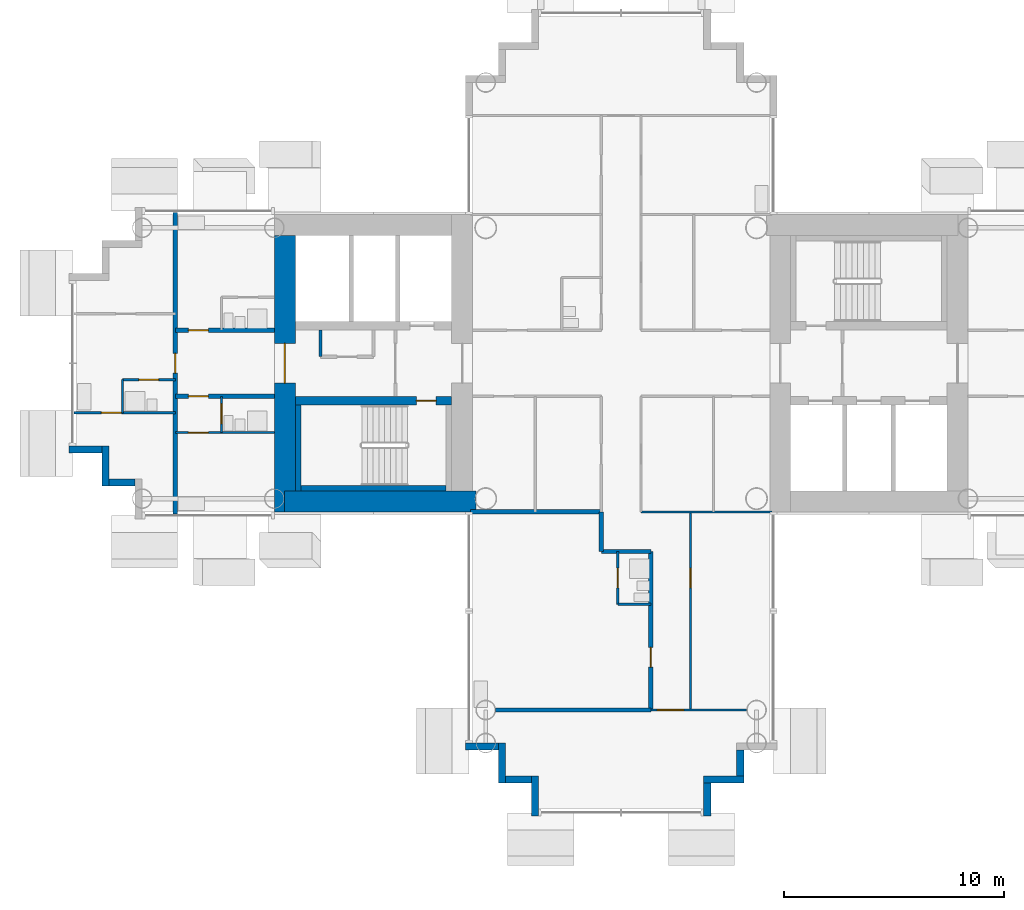
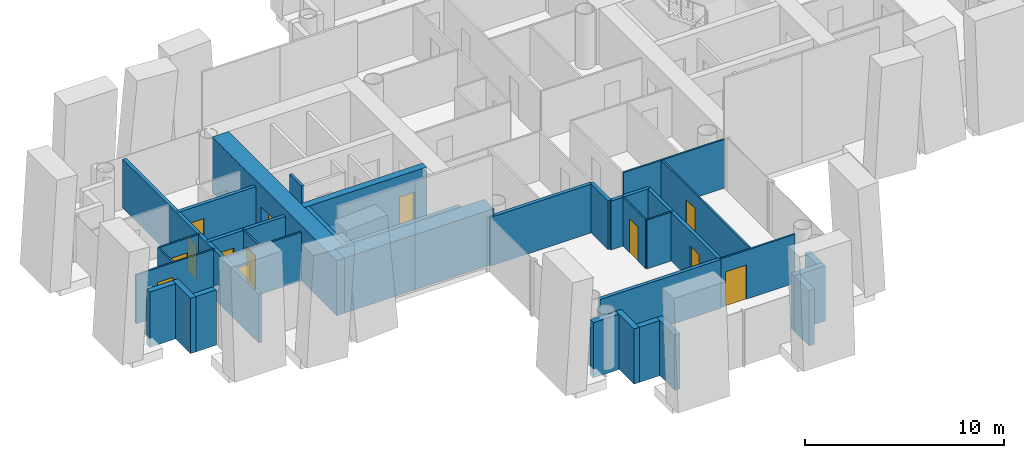
# One storey, part 8 of 21: 34 walls, 13 doors, 13 openings.
"""IFC4 building model written with IfcOpenShell, lengths in metres."""

from ifc_helpers import new_model, si_unit, direction, frame, frame_2d, origin, place, context, subcontext, project, spatial, rectangle, extrude, material, layer, layer_set, type_object, element, fill, save


model = new_model("IFC4")

# Units and contexts
model_context = context("Model", 3, precision=1e-05, world=origin(), true_north=direction((0.0, 1.0)))
body_context = subcontext(model_context, "Body", "Model", "MODEL_VIEW")
ifc_project = project(units=[si_unit("LENGTHUNIT", "METRE"), si_unit("AREAUNIT", "SQUARE_METRE"), si_unit("VOLUMEUNIT", "CUBIC_METRE"), si_unit("PLANEANGLEUNIT", "RADIAN"), si_unit("MASSUNIT", "GRAM", prefix="KILO")], contexts=[model_context])

# Site, building, storey
site_placement = place(None, origin())
site = spatial("IfcSite", under=ifc_project, at=site_placement, CompositionType="ELEMENT")
building_placement = place(site_placement, origin())
building = spatial("IfcBuilding", under=site, at=building_placement, Name="Ipe Terrace Towers", CompositionType="ELEMENT")
storey_placement = place(building_placement, frame((0.0, 0.0, 80.0)))
storey = spatial("IfcBuildingStorey", under=building, at=storey_placement, Name="L21", CompositionType="ELEMENT", Elevation=80.0)

# Walls
ifc_material_1 = material(Name="Concrete C40/50 with buff precast cladding", Category="concrete")
ifc_layer_1 = layer(ifc_material_1, 0.320068359375)
ifc_layer_set_1 = layer_set([ifc_layer_1], Name="BUFF CLADDING WALL 320")
wall_type_1 = type_object("IfcWallType", Name="BUFF CLADDING WALL 320", PredefinedType="STANDARD", material=ifc_layer_set_1)
wall_1_placement = place(storey_placement, frame((-61.070068359375, -3.909912109375, -0.300048828125), z_axis=(0.0, 0.0, 1.0), x_axis=(1.0, 0.0, 0.0)))
element("IfcWall", 1, at=wall_1_placement, inside=storey, type_object=wall_type_1, Name="T1-W-L21-00a wall", PredefinedType="STANDARD", context=body_context, shape_type="SweptSolid", body=[
    extrude(rectangle(XDim=1.5, YDim=0.320068359375, at=frame_2d((0.75, 0.0))), origin(), (0.0, 0.0, 1.0), 3.400146484375),
])
wall_2_placement = place(storey_placement, frame((-59.409912109375, -3.75, -0.300048828125), z_axis=(0.0, 0.0, 1.0), x_axis=(0.0, -1.0, 0.0)))
element("IfcWall", 2, at=wall_2_placement, inside=storey, type_object=wall_type_1, Name="T1-W-L21-01a wall", PredefinedType="STANDARD", context=body_context, shape_type="SweptSolid", body=[
    extrude(rectangle(XDim=1.820068359375, YDim=0.320068359375, at=frame_2d((0.91015625, 0.0))), origin(), (0.0, 0.0, 1.0), 3.400146484375),
])
wall_3_placement = place(storey_placement, frame((-59.25, -5.409912109375, -0.300048828125), z_axis=(0.0, 0.0, 1.0), x_axis=(1.0, 0.0, 0.0)))
element("IfcWall", 3, at=wall_3_placement, inside=storey, type_object=wall_type_1, Name="T1-W-L21-02a wall", PredefinedType="STANDARD", context=body_context, shape_type="SweptSolid", body=[
    extrude(rectangle(XDim=1.179931640625, YDim=0.320068359375, at=frame_2d((0.58984375, 0.0))), origin(), (0.0, 0.0, 1.0), 3.400146484375),
])
wall_4_placement = place(storey_placement, frame((-43.070068359375, -17.409912109375, -0.300048828125), z_axis=(0.0, 0.0, 1.0), x_axis=(1.0, 0.0, 0.0)))
element("IfcWall", 4, at=wall_4_placement, inside=storey, type_object=wall_type_1, Name="T1-W-L21-08a wall", PredefinedType="STANDARD", context=body_context, shape_type="SweptSolid", body=[
    extrude(rectangle(XDim=1.5, YDim=0.320068359375, at=frame_2d((0.75, 0.0))), origin(), (0.0, 0.0, 1.0), 3.400146484375),
])
wall_5_placement = place(storey_placement, frame((-41.409912109375, -17.25, -0.300048828125), z_axis=(0.0, 0.0, 1.0), x_axis=(0.0, -1.0, 0.0)))
element("IfcWall", 5, at=wall_5_placement, inside=storey, type_object=wall_type_1, Name="T1-W-L21-09a wall", PredefinedType="STANDARD", context=body_context, shape_type="SweptSolid", body=[
    extrude(rectangle(XDim=1.820068359375, YDim=0.320068359375, at=frame_2d((0.91015625, 0.0))), origin(), (0.0, 0.0, 1.0), 3.400146484375),
])
wall_6_placement = place(storey_placement, frame((-41.25, -18.909912109375, -0.300048828125), z_axis=(0.0, 0.0, 1.0), x_axis=(1.0, 0.0, 0.0)))
element("IfcWall", 6, at=wall_6_placement, inside=storey, type_object=wall_type_1, Name="T1-W-L21-10a wall", PredefinedType="STANDARD", context=body_context, shape_type="SweptSolid", body=[
    extrude(rectangle(XDim=1.179931640625, YDim=0.320068359375, at=frame_2d((0.58984375, 0.0))), origin(), (0.0, 0.0, 1.0), 3.400146484375),
])
wall_7_placement = place(storey_placement, frame((-39.909912109375, -18.75, -0.300048828125), z_axis=(0.0, 0.0, 1.0), x_axis=(0.0, -1.0, 0.0)))
element("IfcWall", 7, at=wall_7_placement, inside=storey, type_object=wall_type_1, Name="T1-W-L21-11a wall", PredefinedType="STANDARD", context=body_context, shape_type="SweptSolid", body=[
    extrude(rectangle(XDim=1.820068359375, YDim=0.320068359375, at=frame_2d((0.91015625, 0.0))), origin(), (0.0, 0.0, 1.0), 3.400146484375),
])
wall_8_placement = place(storey_placement, frame((-32.090087890625, -20.570068359375, -0.300048828125), z_axis=(0.0, 0.0, 1.0), x_axis=(0.0, 1.0, 0.0)))
element("IfcWall", 8, at=wall_8_placement, inside=storey, type_object=wall_type_1, Name="T1-W-L21-13a wall", PredefinedType="STANDARD", context=body_context, shape_type="SweptSolid", body=[
    extrude(rectangle(XDim=1.5, YDim=0.320068359375, at=frame_2d((0.75, 0.0))), origin(), (0.0, 0.0, 1.0), 3.400146484375),
])
wall_9_placement = place(storey_placement, frame((-32.25, -18.909912109375, -0.300048828125), z_axis=(0.0, 0.0, 1.0), x_axis=(1.0, 0.0, 0.0)))
element("IfcWall", 9, at=wall_9_placement, inside=storey, type_object=wall_type_1, Name="T1-W-L21-14a wall", PredefinedType="STANDARD", context=body_context, shape_type="SweptSolid", body=[
    extrude(rectangle(XDim=1.820068359375, YDim=0.320068359375, at=frame_2d((0.91015625, 0.0))), origin(), (0.0, 0.0, 1.0), 3.400146484375),
])
wall_10_placement = place(storey_placement, frame((-30.590087890625, -18.75, -0.300048828125), z_axis=(0.0, 0.0, 1.0), x_axis=(0.0, 1.0, 0.0)))
element("IfcWall", 10, at=wall_10_placement, inside=storey, type_object=wall_type_1, Name="T1-W-L21-15a wall", PredefinedType="STANDARD", context=body_context, shape_type="SweptSolid", body=[
    extrude(rectangle(XDim=1.179931640625, YDim=0.320068359375, at=frame_2d((0.58984375, 0.0))), origin(), (0.0, 0.0, 1.0), 3.400146484375),
])
ifc_material_2 = material(Name="Gypsum board partition", Category="plasterboard")
ifc_layer_2 = layer(ifc_material_2, 0.10009765625)
ifc_layer_set_2 = layer_set([ifc_layer_2], Name="Gypsum board partition 100 mm")
wall_type_2 = type_object("IfcWallType", Name="Gypsum board partition 100 mm", PredefinedType="PARTITIONING", material=ifc_layer_set_2)
wall_11_placement = place(storey_placement, frame((-58.64990234375, -2.25, 0.0), z_axis=(0.0, 0.0, 1.0), x_axis=(0.0, 1.0, 0.0)))
element("IfcWall", 11, at=wall_11_placement, inside=storey, type_object=wall_type_2, Name="Gypsum board partition T1 L21 W01", PredefinedType="PARTITIONING", context=body_context, shape_type="SweptSolid", body=[
    extrude(rectangle(XDim=1.5, YDim=0.10009765625, at=frame_2d((0.75, 0.0))), origin(), (0.0, 0.0, 1.0), 3.0),
])

# Wall, opening, door
wall_12_placement = place(storey_placement, frame((-54.14990234375, -3.14990234375, 0.0), z_axis=(0.0, 0.0, 1.0), x_axis=(0.0, 1.0, 0.0)))
wall_12 = element("IfcWall", 12, at=wall_12_placement, inside=storey, type_object=wall_type_2, Name="Gypsum board partition T1 L21 W03", PredefinedType="PARTITIONING", context=body_context, shape_type="SweptSolid", body=[
    extrude(rectangle(XDim=1.64990234375, YDim=0.10009765625, at=frame_2d((0.824951171875, 0.0))), origin(), (0.0, 0.0, 1.0), 3.0),
])
opening_1_placement = place(wall_12_placement, frame((0.39990234375, 0.0, 0.0)))
opening_1 = element("IfcOpeningElement", 13, at=opening_1_placement, cuts=wall_12, Name="Opening T1-Z2B-21", PredefinedType="OPENING", context=body_context, shape_type="SweptSolid", body=[
    extrude(rectangle(XDim=0.89990234375, YDim=2.10009765625, at=frame_2d((0.449951171875, 1.050048828125))), frame((0.0, 0.06005859375, 0.0), z_axis=(0.0, -1.0, 0.0), x_axis=(1.0, 0.0, 0.0)), (0.0, 0.0, 1.0), 0.1201171875),
])
ifc_material_3 = material(Name="Timber door leaf", Category="wood")
door_type_1 = type_object("IfcDoorType", Name="Bathroom door 900 x 2100", OperationType="NOTDEFINED", PredefinedType="DOOR", material=ifc_material_3)
door_1_placement = place(opening_1_placement, origin())
door_1 = element("IfcDoor", 14, at=door_1_placement, inside=storey, type_object=door_type_1, Name="Bathroom door T1-Z2B-21", OperationType="SINGLE_SWING_RIGHT", OverallHeight=2.10009765625, OverallWidth=0.89990234375, PredefinedType="DOOR", context=body_context, shape_type="SweptSolid", body=[
    extrude(rectangle(XDim=0.89990234375, YDim=2.10009765625, at=frame_2d((0.449951171875, 1.050048828125))), frame((0.0, 0.02490234375, 0.0), z_axis=(0.0, -1.0, 0.0), x_axis=(1.0, 0.0, 0.0)), (0.0, 0.0, 1.0), 0.050048828125),
])
fill(opening_1, door_1)

wall_13_placement = place(storey_placement, frame((-36.14990234375, -10.949951171875, 0.0), z_axis=(0.0, 0.0, 1.0), x_axis=(0.0, 1.0, 0.0)))
wall_13 = element("IfcWall", 15, at=wall_13_placement, inside=storey, type_object=wall_type_2, Name="Gypsum board partition T1 L21 W10", PredefinedType="PARTITIONING", context=body_context, shape_type="SweptSolid", body=[
    extrude(rectangle(XDim=2.39990234375, YDim=0.10009765625, at=frame_2d((1.199951171875, 0.0))), origin(), (0.0, 0.0, 1.0), 3.0),
])
opening_2_placement = place(wall_13_placement, frame((0.75, 0.0, 0.0)))
opening_2 = element("IfcOpeningElement", 16, at=opening_2_placement, cuts=wall_13, Name="Opening T1-Z2B-14", PredefinedType="OPENING", context=body_context, shape_type="SweptSolid", body=[
    extrude(rectangle(XDim=0.89990234375, YDim=2.10009765625, at=frame_2d((0.449951171875, 1.050048828125))), frame((0.0, 0.06005859375, 0.0), z_axis=(0.0, -1.0, 0.0), x_axis=(1.0, 0.0, 0.0)), (0.0, 0.0, 1.0), 0.1201171875),
])
door_2_placement = place(opening_2_placement, origin())
door_2 = element("IfcDoor", 17, at=door_2_placement, inside=storey, type_object=door_type_1, Name="Bathroom door T1-Z2B-14", OperationType="SINGLE_SWING_RIGHT", OverallHeight=2.10009765625, OverallWidth=0.89990234375, PredefinedType="DOOR", context=body_context, shape_type="SweptSolid", body=[
    extrude(rectangle(XDim=0.89990234375, YDim=2.10009765625, at=frame_2d((0.449951171875, 1.050048828125))), frame((0.0, 0.02490234375, 0.0), z_axis=(0.0, -1.0, 0.0), x_axis=(1.0, 0.0, 0.0)), (0.0, 0.0, 1.0), 0.050048828125),
])
fill(opening_2, door_2)

wall_14_placement = place(storey_placement, frame((-32.85009765625, -15.75, 0.0), z_axis=(0.0, 0.0, 1.0), x_axis=(0.0, 1.0, 0.0)))
wall_14 = element("IfcWall", 18, at=wall_14_placement, inside=storey, type_object=wall_type_2, Name="Gypsum board partition T1 L21 W14", PredefinedType="PARTITIONING", context=body_context, shape_type="SweptSolid", body=[
    extrude(rectangle(XDim=9.0, YDim=0.10009765625, at=frame_2d((4.5, 0.0))), origin(), (0.0, 0.0, 1.0), 3.0),
])
opening_3_placement = place(wall_14_placement, frame((5.550048828125, 0.0, 0.0)))
opening_3 = element("IfcOpeningElement", 19, at=opening_3_placement, cuts=wall_14, Name="Opening T1-Z2B-12", PredefinedType="OPENING", context=body_context, shape_type="SweptSolid", body=[
    extrude(rectangle(XDim=0.89990234375, YDim=2.10009765625, at=frame_2d((0.449951171875, 1.050048828125))), frame((0.0, 0.06005859375, 0.0), z_axis=(0.0, -1.0, 0.0), x_axis=(1.0, 0.0, 0.0)), (0.0, 0.0, 1.0), 0.1201171875),
])
ifc_material_4 = material(Name="Timber door leaf", Category="wood")
door_type_2 = type_object("IfcDoorType", Name="Lounge door 900 x 2100", OperationType="NOTDEFINED", PredefinedType="DOOR", material=ifc_material_4)
door_3_placement = place(opening_3_placement, origin())
door_3 = element("IfcDoor", 20, at=door_3_placement, inside=storey, type_object=door_type_2, Name="Lounge door T1-Z2B-12", OperationType="SINGLE_SWING_RIGHT", OverallHeight=2.10009765625, OverallWidth=0.89990234375, PredefinedType="DOOR", context=body_context, shape_type="SweptSolid", body=[
    extrude(rectangle(XDim=0.89990234375, YDim=2.10009765625, at=frame_2d((0.449951171875, 1.050048828125))), frame((0.0, 0.02490234375, 0.0), z_axis=(0.0, -1.0, 0.0), x_axis=(1.0, 0.0, 0.0)), (0.0, 0.0, 1.0), 0.050048828125),
])
fill(opening_3, door_3)

wall_15_placement = place(storey_placement, frame((-34.64990234375, -15.75, 0.0), z_axis=(0.0, 0.0, 1.0), x_axis=(1.0, 0.0, 0.0)))
wall_15 = element("IfcWall", 21, at=wall_15_placement, inside=storey, type_object=wall_type_2, Name="Gypsum board partition T1 L21 W18", PredefinedType="PARTITIONING", context=body_context, shape_type="SweptSolid", body=[
    extrude(rectangle(XDim=4.349853515625, YDim=0.10009765625, at=frame_2d((2.1748046875, 0.0))), origin(), (0.0, 0.0, 1.0), 3.0),
])
opening_4_placement = place(wall_15_placement, frame((0.300048828125, 0.0, 0.0)))
opening_4 = element("IfcOpeningElement", 22, at=opening_4_placement, cuts=wall_15, Name="Opening T1-Z2B-15", PredefinedType="OPENING", context=body_context, shape_type="SweptSolid", body=[
    extrude(rectangle(XDim=1.199951171875, YDim=2.10009765625, at=frame_2d((0.60009765625, 1.050048828125))), frame((0.0, 0.06005859375, 0.0), z_axis=(0.0, -1.0, 0.0), x_axis=(1.0, 0.0, 0.0)), (0.0, 0.0, 1.0), 0.1201171875),
])
ifc_material_5 = material(Name="Timber door leaf", Category="wood")
door_type_3 = type_object("IfcDoorType", Name="Lounge door 1200 x 2100", OperationType="NOTDEFINED", PredefinedType="DOOR", material=ifc_material_5)
door_4_placement = place(opening_4_placement, origin())
door_4 = element("IfcDoor", 23, at=door_4_placement, inside=storey, type_object=door_type_3, Name="Lounge door T1-Z2B-15", OperationType="SINGLE_SWING_LEFT", OverallHeight=2.10009765625, OverallWidth=1.199951171875, PredefinedType="DOOR", context=body_context, shape_type="SweptSolid", body=[
    extrude(rectangle(XDim=1.199951171875, YDim=2.10009765625, at=frame_2d((0.60009765625, 1.050048828125))), frame((0.0, 0.02490234375, 0.0), z_axis=(0.0, -1.0, 0.0), x_axis=(1.0, 0.0, 0.0)), (0.0, 0.0, 1.0), 0.050048828125),
])
fill(opening_4, door_4)

# Walls
wall_16_placement = place(storey_placement, frame((-36.14990234375, -10.949951171875, 0.0), z_axis=(0.0, 0.0, 1.0), x_axis=(1.0, 0.0, 0.0)))
element("IfcWall", 24, at=wall_16_placement, inside=storey, type_object=wall_type_2, Name="Gypsum board partition T1 L21 W20", PredefinedType="PARTITIONING", context=body_context, shape_type="SweptSolid", body=[
    extrude(rectangle(XDim=1.5, YDim=0.10009765625, at=frame_2d((0.75, 0.0))), origin(), (0.0, 0.0, 1.0), 3.0),
])
wall_17_placement = place(storey_placement, frame((-35.10009765625, -6.75, 0.0), z_axis=(0.0, 0.0, 1.0), x_axis=(1.0, 0.0, 0.0)))
element("IfcWall", 25, at=wall_17_placement, inside=storey, type_object=wall_type_2, Name="Gypsum board partition T1 L21 W22", PredefinedType="PARTITIONING", context=body_context, shape_type="SweptSolid", body=[
    extrude(rectangle(XDim=5.9501953125, YDim=0.10009765625, at=frame_2d((2.97509765625, 0.0))), origin(), (0.0, 0.0, 1.0), 3.0),
])

# Wall, opening, door
wall_18_placement = place(storey_placement, frame((-56.25, -3.14990234375, 0.0), z_axis=(0.0, 0.0, 1.0), x_axis=(1.0, 0.0, 0.0)))
wall_18 = element("IfcWall", 26, at=wall_18_placement, inside=storey, type_object=wall_type_2, Name="Gypsum board partition T1 L21 W24", PredefinedType="PARTITIONING", context=body_context, shape_type="SweptSolid", body=[
    extrude(rectangle(XDim=4.5, YDim=0.10009765625, at=frame_2d((2.25, 0.0))), origin(), (0.0, 0.0, 1.0), 3.0),
])
opening_5_placement = place(wall_18_placement, frame((0.60009765625, 0.0, 0.0)))
opening_5 = element("IfcOpeningElement", 27, at=opening_5_placement, cuts=wall_18, Name="Opening T1-Z2B-20", PredefinedType="OPENING", context=body_context, shape_type="SweptSolid", body=[
    extrude(rectangle(XDim=0.89990234375, YDim=2.10009765625, at=frame_2d((0.449951171875, 1.050048828125))), frame((0.0, 0.06005859375, 0.0), z_axis=(0.0, -1.0, 0.0), x_axis=(1.0, 0.0, 0.0)), (0.0, 0.0, 1.0), 0.1201171875),
])
ifc_material_6 = material(Name="Timber door leaf", Category="wood")
door_type_4 = type_object("IfcDoorType", Name="Bedroom door 900 x 2100", OperationType="NOTDEFINED", PredefinedType="DOOR", material=ifc_material_6)
door_5_placement = place(opening_5_placement, origin())
door_5 = element("IfcDoor", 28, at=door_5_placement, inside=storey, type_object=door_type_4, Name="Bedroom door T1-Z2B-20", OperationType="SINGLE_SWING_LEFT", OverallHeight=2.10009765625, OverallWidth=0.89990234375, PredefinedType="DOOR", context=body_context, shape_type="SweptSolid", body=[
    extrude(rectangle(XDim=0.89990234375, YDim=2.10009765625, at=frame_2d((0.449951171875, 1.050048828125))), frame((0.0, 0.02490234375, 0.0), z_axis=(0.0, -1.0, 0.0), x_axis=(1.0, 0.0, 0.0)), (0.0, 0.0, 1.0), 0.050048828125),
])
fill(opening_5, door_5)

wall_19_placement = place(storey_placement, frame((-60.85009765625, -2.25, 0.0), z_axis=(0.0, 0.0, 1.0), x_axis=(1.0, 0.0, 0.0)))
wall_19 = element("IfcWall", 29, at=wall_19_placement, inside=storey, type_object=wall_type_2, Name="Gypsum board partition T1 L21 W25", PredefinedType="PARTITIONING", context=body_context, shape_type="SweptSolid", body=[
    extrude(rectangle(XDim=4.60009765625, YDim=0.10009765625, at=frame_2d((2.300048828125, 0.0))), origin(), (0.0, 0.0, 1.0), 3.0),
])
opening_6_placement = place(wall_19_placement, frame((1.25, 0.0, 0.0)))
opening_6 = element("IfcOpeningElement", 30, at=opening_6_placement, cuts=wall_19, Name="Opening T1-Z2B-26", PredefinedType="OPENING", context=body_context, shape_type="SweptSolid", body=[
    extrude(rectangle(XDim=0.89990234375, YDim=2.10009765625, at=frame_2d((0.449951171875, 1.050048828125))), frame((0.0, 0.06005859375, 0.0), z_axis=(0.0, -1.0, 0.0), x_axis=(1.0, 0.0, 0.0)), (0.0, 0.0, 1.0), 0.1201171875),
])
door_6_placement = place(opening_6_placement, origin())
door_6 = element("IfcDoor", 31, at=door_6_placement, inside=storey, type_object=door_type_2, Name="Lounge door T1-Z2B-26", OperationType="SINGLE_SWING_LEFT", OverallHeight=2.10009765625, OverallWidth=0.89990234375, PredefinedType="DOOR", context=body_context, shape_type="SweptSolid", body=[
    extrude(rectangle(XDim=0.89990234375, YDim=2.10009765625, at=frame_2d((0.449951171875, 1.050048828125))), frame((0.0, 0.02490234375, 0.0), z_axis=(0.0, -1.0, 0.0), x_axis=(1.0, 0.0, 0.0)), (0.0, 0.0, 1.0), 0.050048828125),
])
fill(opening_6, door_6)

wall_20_placement = place(storey_placement, frame((-58.64990234375, -0.75, 0.0), z_axis=(0.0, 0.0, 1.0), x_axis=(1.0, 0.0, 0.0)))
wall_20 = element("IfcWall", 32, at=wall_20_placement, inside=storey, type_object=wall_type_2, Name="Gypsum board partition T1 L21 W30", PredefinedType="PARTITIONING", context=body_context, shape_type="SweptSolid", body=[
    extrude(rectangle(XDim=2.39990234375, YDim=0.10009765625, at=frame_2d((1.199951171875, 0.0))), origin(), (0.0, 0.0, 1.0), 3.0),
])
opening_7_placement = place(wall_20_placement, frame((0.75, 0.0, 0.0)))
opening_7 = element("IfcOpeningElement", 33, at=opening_7_placement, cuts=wall_20, Name="Opening T1-Z2B-24", PredefinedType="OPENING", context=body_context, shape_type="SweptSolid", body=[
    extrude(rectangle(XDim=0.89990234375, YDim=2.10009765625, at=frame_2d((0.449951171875, 1.050048828125))), frame((0.0, 0.06005859375, 0.0), z_axis=(0.0, -1.0, 0.0), x_axis=(1.0, 0.0, 0.0)), (0.0, 0.0, 1.0), 0.1201171875),
])
door_7_placement = place(opening_7_placement, origin())
door_7 = element("IfcDoor", 34, at=door_7_placement, inside=storey, type_object=door_type_1, Name="Bathroom door T1-Z2B-24", OperationType="SINGLE_SWING_RIGHT", OverallHeight=2.10009765625, OverallWidth=0.89990234375, PredefinedType="DOOR", context=body_context, shape_type="SweptSolid", body=[
    extrude(rectangle(XDim=0.89990234375, YDim=2.10009765625, at=frame_2d((0.449951171875, 1.050048828125))), frame((0.0, 0.02490234375, 0.0), z_axis=(0.0, -1.0, 0.0), x_axis=(1.0, 0.0, 0.0)), (0.0, 0.0, 1.0), 0.050048828125),
])
fill(opening_7, door_7)

# Wall
ifc_material_7 = material(Name="Gypsum board partition", Category="plasterboard")
ifc_layer_3 = layer(ifc_material_7, 0.14990234375)
ifc_layer_set_3 = layer_set([ifc_layer_3], Name="Gypsum board partition 150 mm")
wall_type_3 = type_object("IfcWallType", Name="Gypsum board partition 150 mm", PredefinedType="PARTITIONING", material=ifc_layer_set_3)
wall_21_placement = place(storey_placement, frame((-49.64990234375, 0.300048828125, 0.0), z_axis=(0.0, 0.0, 1.0), x_axis=(0.0, 1.0, 0.0)))
element("IfcWall", 35, at=wall_21_placement, inside=storey, type_object=wall_type_3, Name="Gypsum board partition T1 L21 t1c2-cup-s-b", PredefinedType="PARTITIONING", context=body_context, shape_type="SweptSolid", body=[
    extrude(rectangle(XDim=1.199951171875, YDim=0.14990234375, at=frame_2d((0.60009765625, 0.0))), origin(), (0.0, 0.0, 1.0), 3.0),
])

# Wall, opening, door
ifc_material_8 = material(Name="Gypsum board party wall", Category="plasterboard")
ifc_layer_4 = layer(ifc_material_8, 0.199951171875)
ifc_layer_set_4 = layer_set([ifc_layer_4], Name="Gypsum board party wall 200 mm")
wall_type_4 = type_object("IfcWallType", Name="Gypsum board party wall 200 mm", PredefinedType="SOLIDWALL", material=ifc_layer_set_4)
wall_22_placement = place(storey_placement, frame((-56.25, -6.85009765625, 0.0), z_axis=(0.0, 0.0, 1.0), x_axis=(0.0, 1.0, 0.0)))
wall_22 = element("IfcWall", 36, at=wall_22_placement, inside=storey, type_object=wall_type_4, Name="Gypsum board party wall T1 L21 W02", PredefinedType="SOLIDWALL", context=body_context, shape_type="SweptSolid", body=[
    extrude(rectangle(XDim=13.7001953125, YDim=0.199951171875, at=frame_2d((6.85009765625, 0.0))), origin(), (0.0, 0.0, 1.0), 3.0),
])
opening_8_placement = place(wall_22_placement, frame((6.39990234375, 0.0, 0.0)))
opening_8 = element("IfcOpeningElement", 37, at=opening_8_placement, cuts=wall_22, Name="Opening T1-Z2B-25", PredefinedType="OPENING", context=body_context, shape_type="SweptSolid", body=[
    extrude(rectangle(XDim=0.89990234375, YDim=2.10009765625, at=frame_2d((0.449951171875, 1.050048828125))), frame((0.0, 0.10986328125, 0.0), z_axis=(0.0, -1.0, 0.0), x_axis=(1.0, 0.0, 0.0)), (0.0, 0.0, 1.0), 0.219970703125),
])
ifc_material_9 = material(Name="Fire-rated timber door leaf", Category="wood")
door_type_5 = type_object("IfcDoorType", Name="Flat entrance door 900 x 2100 FD30S", OperationType="NOTDEFINED", PredefinedType="DOOR", material=ifc_material_9)
door_8_placement = place(opening_8_placement, origin())
door_8 = element("IfcDoor", 38, at=door_8_placement, inside=storey, type_object=door_type_5, Name="Flat entrance door T1-Z2B-25", OperationType="SINGLE_SWING_LEFT", OverallHeight=2.10009765625, OverallWidth=0.89990234375, PredefinedType="DOOR", context=body_context, shape_type="SweptSolid", body=[
    extrude(rectangle(XDim=0.89990234375, YDim=2.10009765625, at=frame_2d((0.449951171875, 1.050048828125))), frame((0.0, 0.02490234375, 0.0), z_axis=(0.0, -1.0, 0.0), x_axis=(1.0, 0.0, 0.0)), (0.0, 0.0, 1.0), 0.050048828125),
])
fill(opening_8, door_8)

# Wall
wall_23_placement = place(storey_placement, frame((-36.89990234375, -8.550048828125, 0.0), z_axis=(0.0, 0.0, 1.0), x_axis=(0.0, 1.0, 0.0)))
element("IfcWall", 39, at=wall_23_placement, inside=storey, type_object=wall_type_4, Name="Gypsum board party wall T1 L21 W09", PredefinedType="SOLIDWALL", context=body_context, shape_type="SweptSolid", body=[
    extrude(rectangle(XDim=1.800048828125, YDim=0.199951171875, at=frame_2d((0.89990234375, 0.0))), origin(), (0.0, 0.0, 1.0), 3.0),
])

# Wall, opening, door
wall_24_placement = place(storey_placement, frame((-34.64990234375, -15.75, 0.0), z_axis=(0.0, 0.0, 1.0), x_axis=(0.0, 1.0, 0.0)))
wall_24 = element("IfcWall", 40, at=wall_24_placement, inside=storey, type_object=wall_type_4, Name="Gypsum board party wall T1 L21 W13", PredefinedType="SOLIDWALL", context=body_context, shape_type="SweptSolid", body=[
    extrude(rectangle(XDim=7.199951171875, YDim=0.199951171875, at=frame_2d((3.60009765625, 0.0))), origin(), (0.0, 0.0, 1.0), 3.0),
])
opening_9_placement = place(wall_24_placement, frame((1.949951171875, 0.0, 0.0)))
opening_9 = element("IfcOpeningElement", 41, at=opening_9_placement, cuts=wall_24, Name="Opening T1-Z2B-13", PredefinedType="OPENING", context=body_context, shape_type="SweptSolid", body=[
    extrude(rectangle(XDim=0.89990234375, YDim=2.10009765625, at=frame_2d((0.449951171875, 1.050048828125))), frame((0.0, 0.10986328125, 0.0), z_axis=(0.0, -1.0, 0.0), x_axis=(1.0, 0.0, 0.0)), (0.0, 0.0, 1.0), 0.219970703125),
])
door_9_placement = place(opening_9_placement, origin())
door_9 = element("IfcDoor", 42, at=door_9_placement, inside=storey, type_object=door_type_5, Name="Flat entrance door T1-Z2B-13", OperationType="SINGLE_SWING_RIGHT", OverallHeight=2.10009765625, OverallWidth=0.89990234375, PredefinedType="DOOR", context=body_context, shape_type="SweptSolid", body=[
    extrude(rectangle(XDim=0.89990234375, YDim=2.10009765625, at=frame_2d((0.449951171875, 1.050048828125))), frame((0.0, 0.02490234375, 0.0), z_axis=(0.0, -1.0, 0.0), x_axis=(1.0, 0.0, 0.0)), (0.0, 0.0, 1.0), 0.050048828125),
])
fill(opening_9, door_9)

# Walls
wall_25_placement = place(storey_placement, frame((-41.699951171875, -15.75, 0.0), z_axis=(0.0, 0.0, 1.0), x_axis=(1.0, 0.0, 0.0)))
element("IfcWall", 43, at=wall_25_placement, inside=storey, type_object=wall_type_4, Name="Gypsum board party wall T1 L21 W19", PredefinedType="SOLIDWALL", context=body_context, shape_type="SweptSolid", body=[
    extrude(rectangle(XDim=7.050048828125, YDim=0.199951171875, at=frame_2d((3.52490234375, 0.0))), origin(), (0.0, 0.0, 1.0), 3.0),
])
wall_26_placement = place(storey_placement, frame((-36.89990234375, -8.550048828125, 0.0), z_axis=(0.0, 0.0, 1.0), x_axis=(1.0, 0.0, 0.0)))
element("IfcWall", 44, at=wall_26_placement, inside=storey, type_object=wall_type_4, Name="Gypsum board party wall T1 L21 W21", PredefinedType="SOLIDWALL", context=body_context, shape_type="SweptSolid", body=[
    extrude(rectangle(XDim=2.25, YDim=0.199951171875, at=frame_2d((1.125, 0.0))), origin(), (0.0, 0.0, 1.0), 3.0),
])
wall_27_placement = place(storey_placement, frame((-42.85009765625, -6.75, 0.0), z_axis=(0.0, 0.0, 1.0), x_axis=(1.0, 0.0, 0.0)))
element("IfcWall", 45, at=wall_27_placement, inside=storey, type_object=wall_type_4, Name="Gypsum board party wall T1 L21 W23", PredefinedType="SOLIDWALL", context=body_context, shape_type="SweptSolid", body=[
    extrude(rectangle(XDim=5.9501953125, YDim=0.199951171875, at=frame_2d((2.97509765625, 0.0))), origin(), (0.0, 0.0, 1.0), 3.0),
])

# Wall, opening, door
wall_28_placement = place(storey_placement, frame((-56.25, -1.5, 0.0), z_axis=(0.0, 0.0, 1.0), x_axis=(1.0, 0.0, 0.0)))
wall_28 = element("IfcWall", 46, at=wall_28_placement, inside=storey, type_object=wall_type_4, Name="Gypsum board party wall T1 L21 W29", PredefinedType="SOLIDWALL", context=body_context, shape_type="SweptSolid", body=[
    extrude(rectangle(XDim=4.5, YDim=0.199951171875, at=frame_2d((2.25, 0.0))), origin(), (0.0, 0.0, 1.0), 3.0),
])
opening_10_placement = place(wall_28_placement, frame((0.60009765625, 0.0, 0.0)))
opening_10 = element("IfcOpeningElement", 47, at=opening_10_placement, cuts=wall_28, Name="Opening T1-Z2B-19", PredefinedType="OPENING", context=body_context, shape_type="SweptSolid", body=[
    extrude(rectangle(XDim=0.89990234375, YDim=2.10009765625, at=frame_2d((0.449951171875, 1.050048828125))), frame((0.0, 0.10986328125, 0.0), z_axis=(0.0, -1.0, 0.0), x_axis=(1.0, 0.0, 0.0)), (0.0, 0.0, 1.0), 0.219970703125),
])
door_10_placement = place(opening_10_placement, origin())
door_10 = element("IfcDoor", 48, at=door_10_placement, inside=storey, type_object=door_type_5, Name="Flat entrance door T1-Z2B-19", OperationType="SINGLE_SWING_LEFT", OverallHeight=2.10009765625, OverallWidth=0.89990234375, PredefinedType="DOOR", context=body_context, shape_type="SweptSolid", body=[
    extrude(rectangle(XDim=0.89990234375, YDim=2.10009765625, at=frame_2d((0.449951171875, 1.050048828125))), frame((0.0, 0.02490234375, 0.0), z_axis=(0.0, -1.0, 0.0), x_axis=(1.0, 0.0, 0.0)), (0.0, 0.0, 1.0), 0.050048828125),
])
fill(opening_10, door_10)

wall_29_placement = place(storey_placement, frame((-56.25, 1.5, 0.0), z_axis=(0.0, 0.0, 1.0), x_axis=(1.0, 0.0, 0.0)))
wall_29 = element("IfcWall", 49, at=wall_29_placement, inside=storey, type_object=wall_type_4, Name="Gypsum board party wall T1 L21 W34", PredefinedType="SOLIDWALL", context=body_context, shape_type="SweptSolid", body=[
    extrude(rectangle(XDim=4.5, YDim=0.199951171875, at=frame_2d((2.25, 0.0))), origin(), (0.0, 0.0, 1.0), 3.0),
])
opening_11_placement = place(wall_29_placement, frame((0.60009765625, 0.0, 0.0)))
opening_11 = element("IfcOpeningElement", 50, at=opening_11_placement, cuts=wall_29, Name="Opening T1-Z2B-22", PredefinedType="OPENING", context=body_context, shape_type="SweptSolid", body=[
    extrude(rectangle(XDim=0.89990234375, YDim=2.10009765625, at=frame_2d((0.449951171875, 1.050048828125))), frame((0.0, 0.10986328125, 0.0), z_axis=(0.0, -1.0, 0.0), x_axis=(1.0, 0.0, 0.0)), (0.0, 0.0, 1.0), 0.219970703125),
])
door_11_placement = place(opening_11_placement, origin())
door_11 = element("IfcDoor", 51, at=door_11_placement, inside=storey, type_object=door_type_5, Name="Flat entrance door T1-Z2B-22", OperationType="SINGLE_SWING_RIGHT", OverallHeight=2.10009765625, OverallWidth=0.89990234375, PredefinedType="DOOR", context=body_context, shape_type="SweptSolid", body=[
    extrude(rectangle(XDim=0.89990234375, YDim=2.10009765625, at=frame_2d((0.449951171875, 1.050048828125))), frame((0.0, 0.02490234375, 0.0), z_axis=(0.0, -1.0, 0.0), x_axis=(1.0, 0.0, 0.0)), (0.0, 0.0, 1.0), 0.050048828125),
])
fill(opening_11, door_11)

# Walls
ifc_material_10 = material(Name="Concrete C50/60", Category="concrete")
ifc_layer_5 = layer(ifc_material_10, 0.25)
ifc_layer_set_5 = layer_set([ifc_layer_5], Name="RW250 CORE INFILL WALL 250 C50-60")
wall_type_5 = type_object("IfcWallType", Name="RW250 CORE INFILL WALL 250 C50-60", PredefinedType="SHEAR", material=ifc_layer_set_5)
wall_30_placement = place(storey_placement, frame((-50.675048828125, -1.89990234375, 0.0), z_axis=(0.0, 0.0, 1.0), x_axis=(0.0, -1.0, 0.0)))
element("IfcWall", 52, at=wall_30_placement, inside=storey, type_object=wall_type_5, Name="Core infill wall T1-C2-far", PredefinedType="SHEAR", context=body_context, shape_type="SweptSolid", body=[
    extrude(rectangle(XDim=3.900146484375, YDim=0.25, at=frame_2d((1.9501953125, 0.0))), origin(), (0.0, 0.0, 1.0), 3.39990234375),
])
wall_31_placement = place(storey_placement, frame((-43.949951171875, -5.675048828125, 0.0), z_axis=(0.0, 0.0, 1.0), x_axis=(-1.0, 0.0, 0.0)))
element("IfcWall", 53, at=wall_31_placement, inside=storey, type_object=wall_type_5, Name="Core infill wall T1-C2-back", PredefinedType="SHEAR", context=body_context, shape_type="SweptSolid", body=[
    extrude(rectangle(XDim=6.60009765625, YDim=0.25, at=frame_2d((3.300048828125, 0.0))), origin(), (0.0, 0.0, 1.0), 3.39990234375),
])

# Wall, opening, door
ifc_material_11 = material(Name="Concrete C50/60", Category="concrete")
ifc_layer_6 = layer(ifc_material_11, 0.39990234375)
ifc_layer_set_6 = layer_set([ifc_layer_6], Name="RW400 CORE SPINE WALL 400 C50-60")
wall_type_6 = type_object("IfcWallType", Name="RW400 CORE SPINE WALL 400 C50-60", PredefinedType="SHEAR", material=ifc_layer_set_6)
wall_32_placement = place(storey_placement, frame((-50.800048828125, -1.699951171875, 0.0), z_axis=(0.0, 0.0, 1.0), x_axis=(1.0, 0.0, 0.0)))
wall_32 = element("IfcWall", 54, at=wall_32_placement, inside=storey, type_object=wall_type_6, Name="Core spine wall T1-C2-Z2-SW1", PredefinedType="SHEAR", context=body_context, shape_type="SweptSolid", body=[
    extrude(rectangle(XDim=7.10009765625, YDim=0.39990234375, at=frame_2d((3.550048828125, 0.0))), origin(), (0.0, 0.0, 1.0), 3.39990234375),
])
opening_12_placement = place(wall_32_placement, frame((5.5, 0.0, 0.0)))
opening_12 = element("IfcOpeningElement", 55, at=opening_12_placement, cuts=wall_32, Name="Opening T1C2-SD", PredefinedType="OPENING", context=body_context, shape_type="SweptSolid", body=[
    extrude(rectangle(XDim=0.89990234375, YDim=2.10009765625, at=frame_2d((0.449951171875, 1.050048828125))), frame((0.0, 0.2099609375, 0.0), z_axis=(0.0, -1.0, 0.0), x_axis=(1.0, 0.0, 0.0)), (0.0, 0.0, 1.0), 0.419921875),
])
ifc_material_12 = material(Name="Fire-rated timber door leaf", Category="wood")
door_type_6 = type_object("IfcDoorType", Name="Stair door 900 x 2100 FD60", OperationType="NOTDEFINED", PredefinedType="DOOR", material=ifc_material_12)
door_12_placement = place(opening_12_placement, origin())
door_12 = element("IfcDoor", 56, at=door_12_placement, inside=storey, type_object=door_type_6, Name="Stair door T1C2-SD", OperationType="SINGLE_SWING_RIGHT", OverallHeight=2.10009765625, OverallWidth=0.89990234375, PredefinedType="DOOR", context=body_context, shape_type="SweptSolid", body=[
    extrude(rectangle(XDim=0.89990234375, YDim=2.10009765625, at=frame_2d((0.449951171875, 1.050048828125))), frame((0.0, 0.02490234375, 0.0), z_axis=(0.0, -1.0, 0.0), x_axis=(1.0, 0.0, 0.0)), (0.0, 0.0, 1.0), 0.050048828125),
])
fill(opening_12, door_12)

# Wall
ifc_material_13 = material(Name="Concrete C50/60", Category="concrete")
ifc_layer_7 = layer(ifc_material_13, 0.949951171875)
ifc_layer_set_7 = layer_set([ifc_layer_7], Name="RW950 CORE WALL 950 C50-60")
wall_type_7 = type_object("IfcWallType", Name="RW950 CORE WALL 950 C50-60", PredefinedType="SHEAR", material=ifc_layer_set_7)
wall_33_placement = place(storey_placement, frame((-51.298095703125, -6.27490234375, 0.0), z_axis=(0.0, 0.0, 1.0), x_axis=(1.0, 0.0, 0.0)))
element("IfcWall", 57, at=wall_33_placement, inside=storey, type_object=wall_type_7, Name="Core wall T1-C2-Z2-W01", PredefinedType="SHEAR", context=body_context, shape_type="SweptSolid", body=[
    extrude(rectangle(XDim=8.696044921875, YDim=0.949951171875, at=frame_2d((4.34814453125, 0.0))), origin(), (0.0, 0.0, 1.0), 3.39990234375),
])

# Wall, opening, door
wall_34_placement = place(storey_placement, frame((-51.27490234375, 5.800048828125, 0.0), z_axis=(0.0, 0.0, 1.0), x_axis=(0.0, -1.0, 0.0)))
wall_34 = element("IfcWall", 58, at=wall_34_placement, inside=storey, type_object=wall_type_7, Name="Core wall T1-C2-Z2-W04", PredefinedType="SHEAR", context=body_context, shape_type="SweptSolid", body=[
    extrude(rectangle(XDim=12.550048828125, YDim=0.949951171875, at=frame_2d((6.27490234375, 0.0))), origin(), (0.0, 0.0, 1.0), 3.39990234375),
])
opening_13_placement = place(wall_34_placement, frame((4.89990234375, 0.0, 0.0)))
opening_13 = element("IfcOpeningElement", 59, at=opening_13_placement, cuts=wall_34, Name="Opening T1C2-FD", PredefinedType="OPENING", context=body_context, shape_type="SweptSolid", body=[
    extrude(rectangle(XDim=1.800048828125, YDim=2.10009765625, at=frame_2d((0.89990234375, 1.050048828125))), frame((0.0, 0.48486328125, 0.0), z_axis=(0.0, -1.0, 0.0), x_axis=(1.0, 0.0, 0.0)), (0.0, 0.0, 1.0), 0.969970703125),
])
ifc_material_14 = material(Name="Fire-rated timber door leaf", Category="wood")
door_type_7 = type_object("IfcDoorType", Name="Fire door 1800 x 2100 FD30S", OperationType="NOTDEFINED", PredefinedType="DOOR", material=ifc_material_14)
door_13_placement = place(opening_13_placement, origin())
door_13 = element("IfcDoor", 60, at=door_13_placement, inside=storey, type_object=door_type_7, Name="Fire door T1C2-FD", OperationType="SINGLE_SWING_LEFT", OverallHeight=2.10009765625, OverallWidth=1.800048828125, PredefinedType="DOOR", context=body_context, shape_type="SweptSolid", body=[
    extrude(rectangle(XDim=1.800048828125, YDim=2.10009765625, at=frame_2d((0.89990234375, 1.050048828125))), frame((0.0, 0.02490234375, 0.0), z_axis=(0.0, -1.0, 0.0), x_axis=(1.0, 0.0, 0.0)), (0.0, 0.0, 1.0), 0.050048828125),
])
fill(opening_13, door_13)

save(model, "model.ifc")
